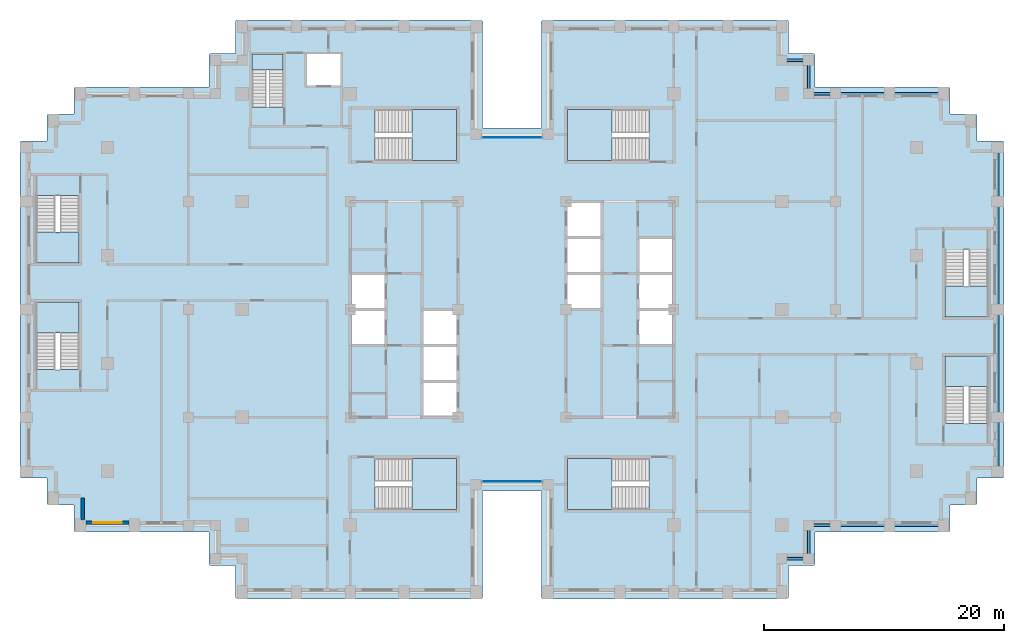
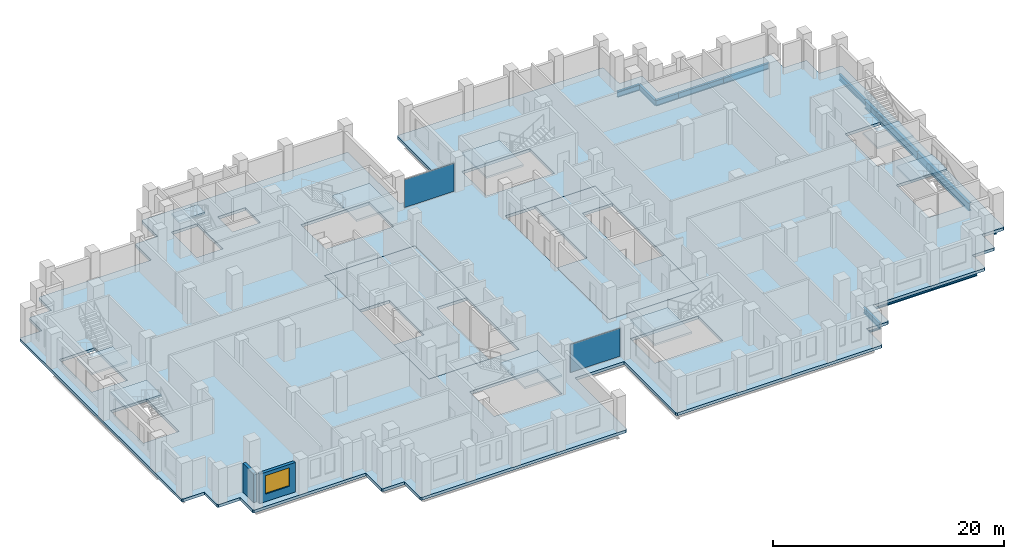
# One storey, part 5 of 15: 14 beams, 12 slabs, 2 plates, 2 walls, 1 window, 1 opening, 11 elements without a shape of their own.
"""IFC4 building model written with IfcOpenShell, lengths in metres."""

from ifc_helpers import new_model, si_unit, direction, frame, frame_2d, origin, origin_2d, place, context, subcontext, project, spatial, polyline, rectangle, i_section, outline, extrude, material, layer, layer_set, material_profile, profile_set, type_object, element, fill, aggregate, save


model = new_model("IFC4")

# Units and contexts
model_context = context("Model", 3, precision=1e-05, world=origin(), true_north=direction((0.0, 1.0)))
body_context = subcontext(model_context, "Body", "Model", "MODEL_VIEW")
ifc_project = project(units=[si_unit("LENGTHUNIT", "METRE"), si_unit("AREAUNIT", "SQUARE_METRE"), si_unit("VOLUMEUNIT", "CUBIC_METRE"), si_unit("PLANEANGLEUNIT", "RADIAN"), si_unit("MASSUNIT", "GRAM", prefix="KILO")], contexts=[model_context])

# Site, building, storey
site_placement = place(None, origin())
site = spatial("IfcSite", under=ifc_project, at=site_placement, CompositionType="ELEMENT")
building_placement = place(site_placement, origin())
building = spatial("IfcBuilding", under=site, at=building_placement, Name="Corbelhall Arena Tower", CompositionType="ELEMENT")
storey_placement = place(building_placement, frame((0.0, 0.0, 146.0)))
storey = spatial("IfcBuildingStorey", under=building, at=storey_placement, Name="L28", CompositionType="ELEMENT", Elevation=146.0)

# Beams
ifc_material_1 = material(Name="Steel ASTM A992 Gr50", Category="steel")
ifc_material_profile_1 = material_profile(ifc_material_1, i_section(OverallWidth=0.22900390625, OverallDepth=0.612060546875, WebThickness=0.011962890625, FlangeThickness=0.01953125, at=origin_2d()))
ifc_profile_set_1 = profile_set([ifc_material_profile_1], Name="Steel ASTM A992 Gr50")
beam_type_1 = type_object("IfcBeamType", Name="ST-SPANDREL-W24x84", PredefinedType="SPANDREL", material=ifc_profile_set_1)
for number, where, z_axis, x_axis, name in (
    (1, (40.5, 13.5, -0.60595703125), (0.0, -1.0, 0.0), (1.0, 0.0, 0.0), "Beam SP 10"),
    (2, (40.5, -9.0, -0.60595703125), (0.0, -1.0, 0.0), (1.0, 0.0, 0.0), "Beam SP 11"),
    (3, (31.5, 18.0, -0.60595703125), (1.0, 0.0, 0.0), (0.0, 1.0, 0.0), "Beam SP 12"),
    (4, (31.5, -18.0, -0.60595703125), (-1.0, 0.0, 0.0), (0.0, -1.0, 0.0), "Beam SP 13"),
    (5, (36.0, -18.0, -0.60595703125), (-1.0, 0.0, 0.0), (0.0, -1.0, 0.0), "Beam SP 14"),
    (6, (27.0, 18.0, -0.60595703125), (1.0, 0.0, 0.0), (0.0, 1.0, 0.0), "Beam SP 15"),
):
    element("IfcBeam", number, at=place(storey_placement, frame(where, z_axis=z_axis, x_axis=x_axis)), inside=storey, type_object=beam_type_1, Name=name, PredefinedType="SPANDREL", context=body_context, shape_type="SweptSolid", body=[
        extrude(i_section(OverallWidth=0.22900390625, OverallDepth=0.612060546875, WebThickness=0.011962890625, FlangeThickness=0.01953125, at=origin_2d()), origin(), (0.0, 0.0, 1.0), 4.5),
    ])
for number, where, z_axis, x_axis, name in (
    (7, (27.0, -18.0, -0.60595703125), (-1.0, 0.0, 0.0), (0.0, -1.0, 0.0), "Beam SP 16"),
    (8, (22.5, 20.800048828125, -0.60595703125), (1.0, 0.0, 0.0), (0.0, 1.0, 0.0), "Beam SP 43"),
):
    element("IfcBeam", number, at=place(storey_placement, frame(where, z_axis=z_axis, x_axis=x_axis)), inside=storey, type_object=beam_type_1, Name=name, PredefinedType="SPANDREL", context=body_context, shape_type="SweptSolid", body=[
        extrude(i_section(OverallWidth=0.22900390625, OverallDepth=0.612060546875, WebThickness=0.011962890625, FlangeThickness=0.01953125, at=origin_2d()), origin(), (0.0, 0.0, 1.0), 2.25),
    ])
beam_1_placement = place(storey_placement, frame((24.75, 20.800048828125, -0.60595703125), z_axis=(0.0, -1.0, 0.0), x_axis=(1.0, 0.0, 0.0)))
element("IfcBeam", 9, at=beam_1_placement, inside=storey, type_object=beam_type_1, Name="Beam SP 44", PredefinedType="SPANDREL", context=body_context, shape_type="SweptSolid", body=[
    extrude(i_section(OverallWidth=0.22900390625, OverallDepth=0.612060546875, WebThickness=0.011962890625, FlangeThickness=0.01953125, at=origin_2d()), origin(), (0.0, 0.0, 1.0), 2.800048828125),
])
for number, where, z_axis, x_axis, name in (
    (10, (24.75, 18.0, -0.60595703125), (1.0, 0.0, 0.0), (0.0, 1.0, 0.0), "Beam SP 45"),
    (11, (24.75, -20.800048828125, -0.60595703125), (-1.0, 0.0, 0.0), (0.0, -1.0, 0.0), "Beam SP 50"),
):
    element("IfcBeam", number, at=place(storey_placement, frame(where, z_axis=z_axis, x_axis=x_axis)), inside=storey, type_object=beam_type_1, Name=name, PredefinedType="SPANDREL", context=body_context, shape_type="SweptSolid", body=[
        extrude(i_section(OverallWidth=0.22900390625, OverallDepth=0.612060546875, WebThickness=0.011962890625, FlangeThickness=0.01953125, at=origin_2d()), origin(), (0.0, 0.0, 1.0), 2.25),
    ])
beam_2_placement = place(storey_placement, frame((24.75, -18.0, -0.60595703125), z_axis=(0.0, -1.0, 0.0), x_axis=(1.0, 0.0, 0.0)))
element("IfcBeam", 12, at=beam_2_placement, inside=storey, type_object=beam_type_1, Name="Beam SP 51", PredefinedType="SPANDREL", context=body_context, shape_type="SweptSolid", body=[
    extrude(i_section(OverallWidth=0.22900390625, OverallDepth=0.612060546875, WebThickness=0.011962890625, FlangeThickness=0.01953125, at=origin_2d()), origin(), (0.0, 0.0, 1.0), 2.800048828125),
])
ifc_material_profile_2 = material_profile(ifc_material_1, i_section(OverallWidth=0.2919921875, OverallDepth=0.845703125, WebThickness=0.015380859375, FlangeThickness=0.0244140625, at=origin_2d()))
ifc_profile_set_2 = profile_set([ifc_material_profile_2], Name="Steel ASTM A992 Gr50")
beam_type_2 = type_object("IfcBeamType", Name="ST-SPANDREL-W33x141", PredefinedType="SPANDREL", material=ifc_profile_set_2)
for number, where, z_axis, x_axis, name in (
    (13, (40.5, 0.0, -0.722900390625), (0.0, -1.0, 0.0), (1.0, 0.0, 0.0), "Beam SP 8"),
    (14, (40.5, 9.0, -0.722900390625), (0.0, -1.0, 0.0), (1.0, 0.0, 0.0), "Beam SP 9"),
):
    element("IfcBeam", number, at=place(storey_placement, frame(where, z_axis=z_axis, x_axis=x_axis)), inside=storey, type_object=beam_type_2, Name=name, PredefinedType="SPANDREL", context=body_context, shape_type="SweptSolid", body=[
        extrude(i_section(OverallWidth=0.2919921875, OverallDepth=0.845703125, WebThickness=0.015380859375, FlangeThickness=0.0244140625, at=origin_2d()), origin(), (0.0, 0.0, 1.0), 9.0),
    ])

# Curtain wall, plate
ifc_material_2 = material(Name="Aluminium black anodised", Category="aluminium")
ifc_layer_1 = layer(ifc_material_2, 0.199951171875)
ifc_layer_set_1 = layer_set([ifc_layer_1], Name="EV-CW1 Slot back wall")
curtain_wall_type = type_object("IfcCurtainWallType", Name="EV-CW1 Slot back wall", PredefinedType="NOTDEFINED", material=ifc_layer_set_1)
curtain_wall_1_placement = place(storey_placement, origin())
curtain_wall_1 = element("IfcCurtainWall", 15, at=curtain_wall_1_placement, inside=storey, type_object=curtain_wall_type, Name="Curtain wall CW1", PredefinedType="NOTDEFINED")
ifc_material_3 = material(Name="Glass dark tinted laminated", Category="glass")
ifc_layer_2 = layer(ifc_material_3, 0.028076171875)
ifc_layer_set_2 = layer_set([ifc_layer_2], Name="EV-CW1-PANEL")
plate_type = type_object("IfcPlateType", Name="EV-CW1-PANEL", PredefinedType="CURTAIN_PANEL", material=ifc_layer_set_2)
plate_1_placement = place(storey_placement, frame((0.0, -14.35009765625, 0.0751953125), z_axis=(0.0, 0.0, 1.0), x_axis=(1.0, 0.0, 0.0)))
plate_1 = element("IfcPlate", 16, at=plate_1_placement, type_object=plate_type, Name="CW1 panel 1.1", PredefinedType="CURTAIN_PANEL", context=body_context, shape_type="SweptSolid", body=[
    extrude(rectangle(XDim=4.949951171875, YDim=0.028076171875, at=origin_2d()), origin(), (0.0, 0.0, 1.0), 2.949951171875),
])
aggregate(curtain_wall_1, [plate_1])

curtain_wall_2_placement = place(storey_placement, origin())
curtain_wall_2 = element("IfcCurtainWall", 17, at=curtain_wall_2_placement, inside=storey, type_object=curtain_wall_type, Name="Curtain wall CW1", PredefinedType="NOTDEFINED")
plate_2_placement = place(storey_placement, frame((0.0, 14.35009765625, 0.0751953125), z_axis=(0.0, 0.0, 1.0), x_axis=(-1.0, 0.0, 0.0)))
plate_2 = element("IfcPlate", 18, at=plate_2_placement, type_object=plate_type, Name="CW1 panel 1.1", PredefinedType="CURTAIN_PANEL", context=body_context, shape_type="SweptSolid", body=[
    extrude(rectangle(XDim=4.949951171875, YDim=0.028076171875, at=origin_2d()), origin(), (0.0, 0.0, 1.0), 2.949951171875),
])
aggregate(curtain_wall_2, [plate_2])

# Slabs
ifc_material_4 = material(Name="Concrete C40/50", Category="concrete")
ifc_layer_3 = layer(ifc_material_4, 0.300048828125)
ifc_layer_set_3 = layer_set([ifc_layer_3], Name="IN-SL-CORE")
slab_type_1 = type_object("IfcSlabType", Name="IN-SL-CORE", PredefinedType="FLOOR", material=ifc_layer_set_3)
slab_1_placement = place(storey_placement, frame((0.0, 0.0, -0.300048828125)))
element("IfcSlab", 19, at=slab_1_placement, inside=storey, type_object=slab_type_1, Name="Core floor W", PredefinedType="FLOOR", context=body_context, shape_type="SweptSolid", body=[
    extrude(outline(polyline([(-7.5, 0.0), (-4.5, 0.0), (-4.5, 9.0), (-13.5, 9.0), (-13.5, 3.0), (-10.5, 3.0), (-10.5, 0.0), (-10.5, -3.0), (-13.5, -3.0), (-13.5, -9.0), (-7.5, -9.0), (-7.5, -6.0), (-7.5, -3.0), (-7.5, 0.0)])), origin(), (0.0, 0.0, 1.0), 0.300048828125),
])
slab_2_placement = place(storey_placement, frame((0.0, 0.0, -0.300048828125)))
element("IfcSlab", 20, at=slab_2_placement, inside=storey, type_object=slab_type_1, Name="Core floor E", PredefinedType="FLOOR", context=body_context, shape_type="SweptSolid", body=[
    extrude(outline(polyline([(7.5, 0.0), (4.5, 0.0), (4.5, -9.0), (13.5, -9.0), (13.5, -3.0), (10.5, -3.0), (10.5, 0.0), (10.5, 3.0), (10.5, 6.0), (13.5, 6.0), (13.5, 9.0), (7.5, 9.0), (7.5, 6.0), (7.5, 3.0), (7.5, 0.0)])), origin(), (0.0, 0.0, 1.0), 0.300048828125),
])

# Stair, slab
stair_type = type_object("IfcStairType", Name="IN-ST-TOWER", PredefinedType="HALF_TURN_STAIR", material=ifc_material_4)
stair_1_placement = place(storey_placement, origin())
stair_1 = element("IfcStair", 21, at=stair_1_placement, inside=storey, type_object=stair_type, Name="L28 Exit stair ST1", PredefinedType="HALF_TURN_STAIR")
ifc_layer_4 = layer(ifc_material_4, 0.199951171875)
ifc_layer_set_4 = layer_set([ifc_layer_4], Name="IN-SL-LANDING")
slab_type_2 = type_object("IfcSlabType", Name="IN-SL-LANDING", PredefinedType="LANDING", material=ifc_layer_set_4)
slab_3_placement = place(storey_placement, frame((0.0, 0.0, 1.800048828125)))
slab_3 = element("IfcSlab", 22, at=slab_3_placement, type_object=slab_type_2, Name="ST1 landing 1", PredefinedType="LANDING", context=body_context, shape_type="SweptSolid", body=[
    extrude(outline(polyline([(-8.344970703125, 12.425048828125), (-4.625, 12.425048828125), (-4.625, 16.675048828125), (-8.344970703125, 16.675048828125), (-8.344970703125, 12.425048828125)])), origin(), (0.0, 0.0, 1.0), 0.199951171875),
])
aggregate(stair_1, [slab_3])

stair_2_placement = place(storey_placement, origin())
stair_2 = element("IfcStair", 23, at=stair_2_placement, inside=storey, type_object=stair_type, Name="L28 Exit stair ST2", PredefinedType="HALF_TURN_STAIR")
slab_4_placement = place(storey_placement, frame((0.0, 0.0, 1.800048828125)))
slab_4 = element("IfcSlab", 24, at=slab_4_placement, type_object=slab_type_2, Name="ST2 landing 1", PredefinedType="LANDING", context=body_context, shape_type="SweptSolid", body=[
    extrude(outline(polyline([(-8.344970703125, -16.675048828125), (-4.625, -16.675048828125), (-4.625, -12.425048828125), (-8.344970703125, -12.425048828125), (-8.344970703125, -16.675048828125)])), origin(), (0.0, 0.0, 1.0), 0.199951171875),
])
aggregate(stair_2, [slab_4])

stair_3_placement = place(storey_placement, origin())
stair_3 = element("IfcStair", 25, at=stair_3_placement, inside=storey, type_object=stair_type, Name="L28 Exit stair ST3", PredefinedType="HALF_TURN_STAIR")
slab_5_placement = place(storey_placement, frame((0.0, 0.0, 1.800048828125)))
slab_5 = element("IfcSlab", 26, at=slab_5_placement, type_object=slab_type_2, Name="ST3 landing 1", PredefinedType="LANDING", context=body_context, shape_type="SweptSolid", body=[
    extrude(outline(polyline([(8.344970703125, 16.675048828125), (4.625, 16.675048828125), (4.625, 12.425048828125), (8.344970703125, 12.425048828125), (8.344970703125, 16.675048828125)])), origin(), (0.0, 0.0, 1.0), 0.199951171875),
])
aggregate(stair_3, [slab_5])

stair_4_placement = place(storey_placement, origin())
stair_4 = element("IfcStair", 27, at=stair_4_placement, inside=storey, type_object=stair_type, Name="L28 Exit stair ST4", PredefinedType="HALF_TURN_STAIR")
slab_6_placement = place(storey_placement, frame((0.0, 0.0, 1.800048828125)))
slab_6 = element("IfcSlab", 28, at=slab_6_placement, type_object=slab_type_2, Name="ST4 landing 1", PredefinedType="LANDING", context=body_context, shape_type="SweptSolid", body=[
    extrude(outline(polyline([(8.344970703125, -12.425048828125), (4.625, -12.425048828125), (4.625, -16.675048828125), (8.344970703125, -16.675048828125), (8.344970703125, -12.425048828125)])), origin(), (0.0, 0.0, 1.0), 0.199951171875),
])
aggregate(stair_4, [slab_6])

stair_5_placement = place(storey_placement, origin())
stair_5 = element("IfcStair", 29, at=stair_5_placement, inside=storey, type_object=stair_type, Name="L28 Exit stair SC1", PredefinedType="HALF_TURN_STAIR")
slab_7_placement = place(storey_placement, frame((0.0, 0.0, 1.800048828125)))
slab_7 = element("IfcSlab", 30, at=slab_7_placement, type_object=slab_type_2, Name="SC1 landing 1", PredefinedType="LANDING", context=body_context, shape_type="SweptSolid", body=[
    extrude(outline(polyline([(-39.699951171875, 6.445068359375), (-39.699951171875, 3.875), (-36.125, 3.875), (-36.125, 6.445068359375), (-39.699951171875, 6.445068359375)])), origin(), (0.0, 0.0, 1.0), 0.199951171875),
])
aggregate(stair_5, [slab_7])

stair_6_placement = place(storey_placement, origin())
stair_6 = element("IfcStair", 31, at=stair_6_placement, inside=storey, type_object=stair_type, Name="L28 Exit stair SC2", PredefinedType="HALF_TURN_STAIR")
slab_8_placement = place(storey_placement, frame((0.0, 0.0, 1.800048828125)))
slab_8 = element("IfcSlab", 32, at=slab_8_placement, type_object=slab_type_2, Name="SC2 landing 1", PredefinedType="LANDING", context=body_context, shape_type="SweptSolid", body=[
    extrude(outline(polyline([(-36.125, -1.945068359375), (-36.125, 0.625), (-39.699951171875, 0.625), (-39.699951171875, -1.945068359375), (-36.125, -1.945068359375)])), origin(), (0.0, 0.0, 1.0), 0.199951171875),
])
aggregate(stair_6, [slab_8])

stair_7_placement = place(storey_placement, origin())
stair_7 = element("IfcStair", 33, at=stair_7_placement, inside=storey, type_object=stair_type, Name="L28 Exit stair SD1", PredefinedType="HALF_TURN_STAIR")
slab_9_placement = place(storey_placement, frame((0.0, 0.0, 1.800048828125)))
slab_9 = element("IfcSlab", 34, at=slab_9_placement, type_object=slab_type_2, Name="SD1 landing 1", PredefinedType="LANDING", context=body_context, shape_type="SweptSolid", body=[
    extrude(outline(polyline([(39.699951171875, -6.445068359375), (39.699951171875, -3.875), (36.125, -3.875), (36.125, -6.445068359375), (39.699951171875, -6.445068359375)])), origin(), (0.0, 0.0, 1.0), 0.199951171875),
])
aggregate(stair_7, [slab_9])

stair_8_placement = place(storey_placement, origin())
stair_8 = element("IfcStair", 35, at=stair_8_placement, inside=storey, type_object=stair_type, Name="L28 Exit stair SD2", PredefinedType="HALF_TURN_STAIR")
slab_10_placement = place(storey_placement, frame((0.0, 0.0, 1.800048828125)))
slab_10 = element("IfcSlab", 36, at=slab_10_placement, type_object=slab_type_2, Name="SD2 landing 1", PredefinedType="LANDING", context=body_context, shape_type="SweptSolid", body=[
    extrude(outline(polyline([(36.125, 1.945068359375), (36.125, -0.625), (39.699951171875, -0.625), (39.699951171875, 1.945068359375), (36.125, 1.945068359375)])), origin(), (0.0, 0.0, 1.0), 0.199951171875),
])
aggregate(stair_8, [slab_10])

stair_9_placement = place(storey_placement, origin())
stair_9 = element("IfcStair", 37, at=stair_9_placement, inside=storey, type_object=stair_type, Name="L28 Exit stair ST5", PredefinedType="HALF_TURN_STAIR")
slab_11_placement = place(storey_placement, frame((0.0, 0.0, 1.800048828125)))
slab_11 = element("IfcSlab", 38, at=slab_11_placement, type_object=slab_type_2, Name="ST5 landing 1", PredefinedType="LANDING", context=body_context, shape_type="SweptSolid", body=[
    extrude(outline(polyline([(-19.094970703125, 19.97998046875), (-19.094970703125, 21.300048828125), (-21.695068359375, 21.300048828125), (-21.695068359375, 19.97998046875), (-19.094970703125, 19.97998046875)])), origin(), (0.0, 0.0, 1.0), 0.199951171875),
])
aggregate(stair_9, [slab_11])

# Slab
ifc_layer_5 = layer(ifc_material_4, 0.300048828125)
ifc_layer_set_5 = layer_set([ifc_layer_5], Name="ST-SLAB-FLOOR-300")
slab_type_3 = type_object("IfcSlabType", Name="ST-SLAB-FLOOR-300", PredefinedType="FLOOR", material=ifc_layer_set_5)
slab_12_placement = place(storey_placement, frame((0.0, 0.0, -0.300048828125)))
element("IfcSlab", 39, at=slab_12_placement, inside=storey, type_object=slab_type_3, Name="Floor slab L28 1", PredefinedType="FLOOR", context=body_context, shape_type="SweptSolid", body=[
    extrude(outline(polyline([(25.300048828125, 18.550048828125), (25.300048828125, 21.25), (25.199951171875, 21.35009765625), (23.050048828125, 21.35009765625), (23.050048828125, 24.050048828125), (22.949951171875, 24.14990234375), (2.550048828125, 24.14990234375), (2.449951171875, 24.050048828125), (2.449951171875, 15.14990234375), (-2.449951171875, 15.14990234375), (-2.449951171875, 24.050048828125), (-2.550048828125, 24.14990234375), (-22.949951171875, 24.14990234375), (-23.050048828125, 24.050048828125), (-23.050048828125, 21.35009765625), (-25.199951171875, 21.35009765625), (-25.300048828125, 21.25), (-25.300048828125, 18.550048828125), (-36.449951171875, 18.550048828125), (-36.550048828125, 18.449951171875), (-36.550048828125, 16.300048828125), (-38.699951171875, 16.300048828125), (-38.800048828125, 16.199951171875), (-38.800048828125, 14.050048828125), (-40.949951171875, 14.050048828125), (-41.050048828125, 13.949951171875), (-41.050048828125, -13.949951171875), (-40.949951171875, -14.050048828125), (-38.800048828125, -14.050048828125), (-38.800048828125, -16.199951171875), (-38.699951171875, -16.300048828125), (-36.550048828125, -16.300048828125), (-36.550048828125, -18.449951171875), (-36.449951171875, -18.550048828125), (-25.300048828125, -18.550048828125), (-25.300048828125, -21.25), (-25.199951171875, -21.35009765625), (-23.050048828125, -21.35009765625), (-23.050048828125, -24.050048828125), (-22.949951171875, -24.14990234375), (-2.550048828125, -24.14990234375), (-2.449951171875, -24.050048828125), (-2.449951171875, -15.14990234375), (2.449951171875, -15.14990234375), (2.449951171875, -24.050048828125), (2.550048828125, -24.14990234375), (22.949951171875, -24.14990234375), (23.050048828125, -24.050048828125), (23.050048828125, -21.35009765625), (25.199951171875, -21.35009765625), (25.300048828125, -21.25), (25.300048828125, -18.550048828125), (36.449951171875, -18.550048828125), (36.550048828125, -18.449951171875), (36.550048828125, -16.300048828125), (38.699951171875, -16.300048828125), (38.800048828125, -16.199951171875), (38.800048828125, -14.050048828125), (40.949951171875, -14.050048828125), (41.050048828125, -13.949951171875), (41.050048828125, 13.949951171875), (40.949951171875, 14.050048828125), (38.800048828125, 14.050048828125), (38.800048828125, 16.199951171875), (38.699951171875, 16.300048828125), (36.550048828125, 16.300048828125), (36.550048828125, 18.449951171875), (36.449951171875, 18.550048828125), (25.300048828125, 18.550048828125)]), holes=[polyline([(-13.5, 9.0), (-13.5, -9.0), (-4.5, -9.0), (-4.5, 9.0), (-13.5, 9.0)]), polyline([(4.5, 9.0), (4.5, -9.0), (13.5, -9.0), (13.5, 9.0), (4.5, 9.0)]), polyline([(-4.625, 16.675048828125), (-11.422119140625, 16.675048828125), (-11.422119140625, 12.425048828125), (-4.625, 12.425048828125), (-4.625, 16.675048828125)]), polyline([(-4.625, -16.675048828125), (-4.625, -12.425048828125), (-11.422119140625, -12.425048828125), (-11.422119140625, -16.675048828125), (-4.625, -16.675048828125)]), polyline([(11.422119140625, 16.675048828125), (4.625, 16.675048828125), (4.625, 12.425048828125), (11.422119140625, 12.425048828125), (11.422119140625, 16.675048828125)]), polyline([(11.422119140625, -16.675048828125), (11.422119140625, -12.425048828125), (4.625, -12.425048828125), (4.625, -16.675048828125), (11.422119140625, -16.675048828125)]), polyline([(-36.125, 3.875), (-36.125, 9.52197265625), (-39.699951171875, 9.52197265625), (-39.699951171875, 3.875), (-36.125, 3.875)]), polyline([(-36.125, 0.625), (-39.699951171875, 0.625), (-39.699951171875, -5.02197265625), (-36.125, -5.02197265625), (-36.125, 0.625)]), polyline([(39.699951171875, -9.52197265625), (39.699951171875, -3.875), (36.125, -3.875), (36.125, -9.52197265625), (39.699951171875, -9.52197265625)]), polyline([(39.699951171875, 5.02197265625), (36.125, 5.02197265625), (36.125, -0.625), (39.699951171875, -0.625), (39.699951171875, 5.02197265625)]), polyline([(-21.695068359375, 21.300048828125), (-21.695068359375, 16.903076171875), (-19.094970703125, 16.903076171875), (-19.094970703125, 21.300048828125), (-21.695068359375, 21.300048828125)]), polyline([(-14.300048828125, 21.300048828125), (-17.10009765625, 21.300048828125), (-17.10009765625, 18.699951171875), (-14.300048828125, 18.699951171875), (-14.300048828125, 21.300048828125)])]), origin(), (0.0, 0.0, 1.0), 0.300048828125),
])

# Wall
ifc_material_5 = material(Name="Precast concrete C40/50 with granite facing", Category="masonry")
ifc_layer_6 = layer(ifc_material_5, 0.300048828125)
ifc_layer_set_6 = layer_set([ifc_layer_6], Name="EV-IW1 Infill panel 300")
wall_type = type_object("IfcWallType", Name="EV-IW1 Infill panel 300", PredefinedType="SOLIDWALL", material=ifc_layer_set_6)
wall_1_placement = place(storey_placement, frame((-35.800048828125, -17.550048828125, 0.0), z_axis=(0.0, 0.0, 1.0), x_axis=(0.0, 1.0, 0.0)))
element("IfcWall", 40, at=wall_1_placement, inside=storey, type_object=wall_type, Name="Infill panel IW1", PredefinedType="SOLIDWALL", context=body_context, shape_type="SweptSolid", body=[
    extrude(rectangle(XDim=1.800048828125, YDim=0.300048828125, at=frame_2d((0.89990234375, 0.0))), origin(), (0.0, 0.0, 1.0), 3.10009765625),
])

# Wall, opening, window
wall_2_placement = place(storey_placement, frame((-35.550048828125, -17.800048828125, 0.0), z_axis=(0.0, 0.0, 1.0), x_axis=(1.0, 0.0, 0.0)))
wall_2 = element("IfcWall", 41, at=wall_2_placement, inside=storey, type_object=wall_type, Name="Infill panel IW1", PredefinedType="SOLIDWALL", context=body_context, shape_type="SweptSolid", body=[
    extrude(rectangle(XDim=3.60009765625, YDim=0.300048828125, at=frame_2d((1.800048828125, 0.0))), origin(), (0.0, 0.0, 1.0), 3.10009765625),
])
opening_placement = place(wall_2_placement, frame((0.60009765625, 0.0, 0.800048828125)))
opening = element("IfcOpeningElement", 42, at=opening_placement, cuts=wall_2, Name="Opening WN1", PredefinedType="OPENING", context=body_context, shape_type="SweptSolid", body=[
    extrude(rectangle(XDim=2.39990234375, YDim=1.949951171875, at=frame_2d((1.199951171875, 0.97509765625))), frame((0.0, 0.14990234375, 0.0), z_axis=(0.0, -1.0, 0.0), x_axis=(1.0, 0.0, 0.0)), (0.0, 0.0, 1.0), 0.300048828125),
])
window_type = type_object("IfcWindowType", Name="EV-WN1 Office window", PartitioningType="SINGLE_PANEL", PredefinedType="WINDOW", material=ifc_material_2)
window_placement = place(opening_placement, origin())
window = element("IfcWindow", 43, at=window_placement, inside=storey, type_object=window_type, Name="Window WN1", OverallHeight=1.949951171875, OverallWidth=2.39990234375, PartitioningType="SINGLE_PANEL", PredefinedType="WINDOW", context=body_context, shape_type="SweptSolid", body=[
    extrude(rectangle(XDim=2.39990234375, YDim=1.949951171875, at=frame_2d((1.199951171875, 0.97509765625))), frame((0.0, 0.030029296875, 0.0), z_axis=(0.0, -1.0, 0.0), x_axis=(1.0, 0.0, 0.0)), (0.0, 0.0, 1.0), 0.06005859375),
])
fill(opening, window)

save(model, "model.ifc")
